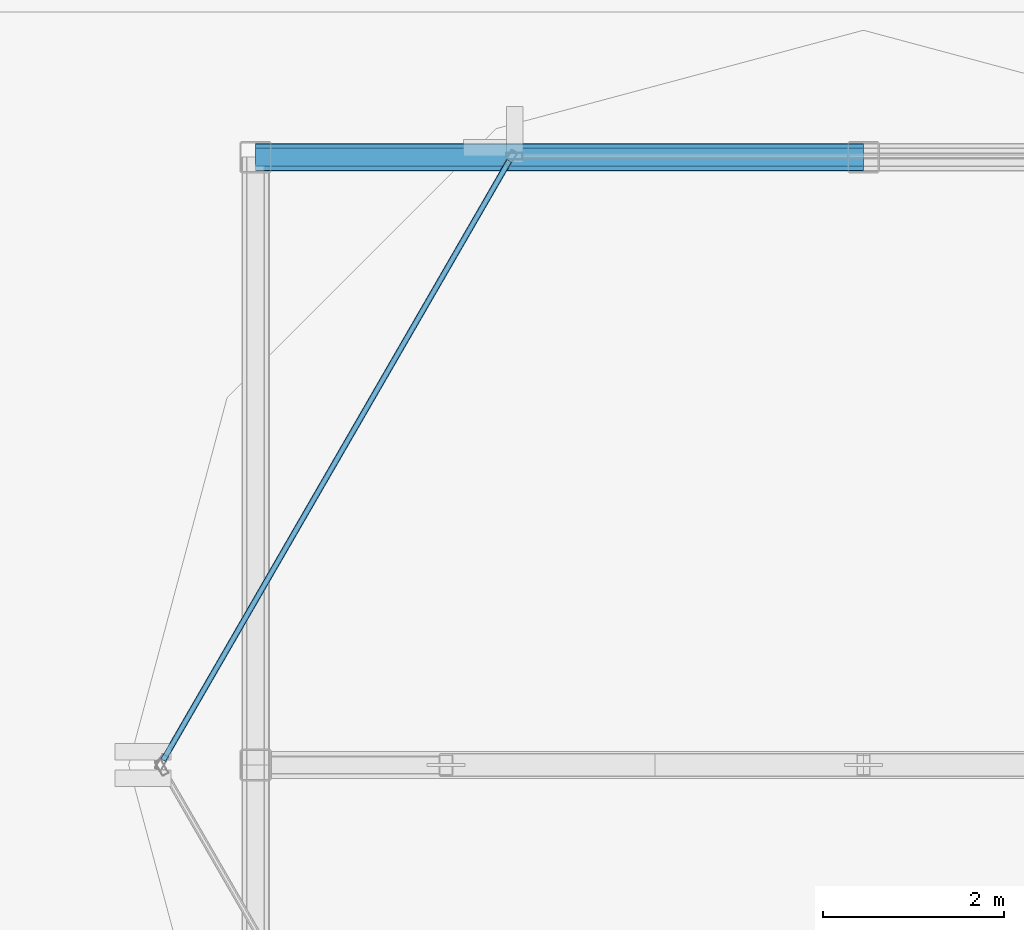
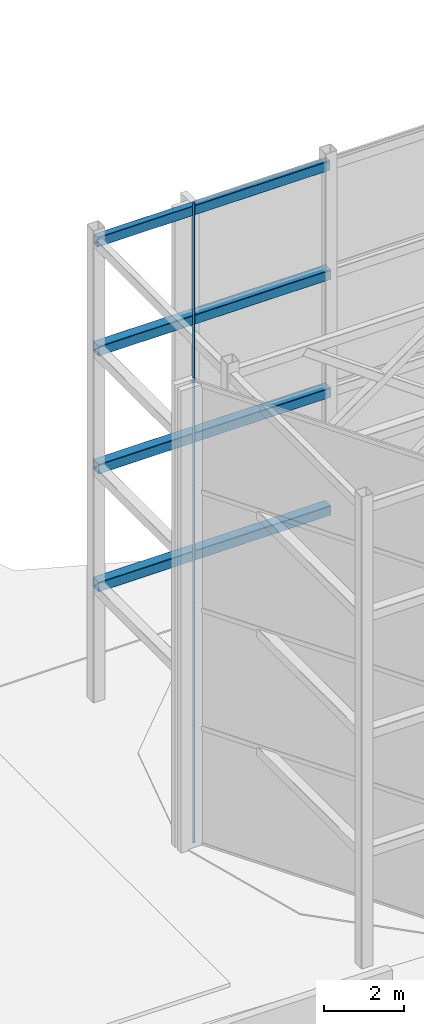
# One storey, part 6 of 24: 5 members, 4 beams, 1 element without a shape of its own.
"""IFC4 building model written with IfcOpenShell, lengths in metres."""

import ifcopenshell
import ifcopenshell.guid

model = None  # the IFC model being written
_history = None  # IfcOwnerHistory: only IFC2X3 demands one
_inside = {}  # id of a spatial element -> (the spatial element, [elements in it])
_under = {}  # id of a project, library or spatial element -> (it, [spatial elements below it])
_declared = {}  # id of a project -> (the project, [libraries it declares])
_typed = {}  # id of a type object -> (the type object, [elements of that type])
_made_of = {}  # id of a material, layer set ... -> (it, [elements and type objects made of it])


def new_model(schema):
    """Start an empty IFC model of exactly this schema.

    Asked for "IFC4X3", IfcOpenShell would pick the latest addendum, in which some entities
    have other attributes; the version numbers below select the first issue.
    IFC2X3 requires an IfcOwnerHistory on every rooted entity: one is made here for all.
    """
    global model, _history
    if schema == "IFC4X3":
        model = ifcopenshell.file(schema_version=(4, 3, 0, 0))
    else:
        model = ifcopenshell.file(schema=schema)
    _inside.clear()
    _under.clear()
    _declared.clear()
    _typed.clear()
    _made_of.clear()
    _history = None
    if model.schema == "IFC2X3":
        org = make("IfcOrganization", Name="unknown")
        user = make(
            "IfcPersonAndOrganization",
            ThePerson=make("IfcPerson", FamilyName="unknown"),
            TheOrganization=org,
        )
        app = make(
            "IfcApplication",
            ApplicationDeveloper=org,
            Version="unknown",
            ApplicationFullName="unknown",
            ApplicationIdentifier="unknown",
        )
        _history = make(
            "IfcOwnerHistory",
            OwningUser=user,
            OwningApplication=app,
            ChangeAction="ADDED",
            CreationDate=0,
        )
    return model


def make(cls, **values):
    """One entity of the class cls with the attributes given. An attribute that is None is left unset."""
    return model.create_entity(
        cls, **{name: value for name, value in values.items() if value is not None}
    )


def rooted(cls, **values):
    """An entity with a GlobalId (a new one), such as an element, a storey or a relation."""
    return make(cls, GlobalId=ifcopenshell.guid.new(), OwnerHistory=_history, **values)


def si_unit(unit_type, name, prefix=None):
    """IfcSIUnit, for example si_unit("LENGTHUNIT", "METRE", prefix="MILLI")."""
    return make("IfcSIUnit", UnitType=unit_type, Prefix=prefix, Name=name)


def assignment(units):
    """IfcUnitAssignment: the units of a project."""
    return None if units is None else make("IfcUnitAssignment", Units=units)


def point(xyz):
    """IfcCartesianPoint."""
    return None if xyz is None else make("IfcCartesianPoint", Coordinates=xyz)


def direction(xyz):
    """IfcDirection."""
    return None if xyz is None else make("IfcDirection", DirectionRatios=xyz)


def frame(location, z_axis=None, x_axis=None):
    """IfcAxis2Placement3D, a coordinate frame: its origin and axes. An axis left out is left unset."""
    return make(
        "IfcAxis2Placement3D",
        Location=point(location),
        Axis=direction(z_axis),
        RefDirection=direction(x_axis),
    )


def frame_2d(location, x_axis=None):
    """IfcAxis2Placement2D, a coordinate frame in the plane: its origin and x axis."""
    return make(
        "IfcAxis2Placement2D", Location=point(location), RefDirection=direction(x_axis)
    )


def origin():
    """The frame at (0, 0, 0) with its axes left unset."""
    return frame((0.0, 0.0, 0.0))


def origin_2d():
    """The frame at (0, 0) in the plane with its x axis left unset."""
    return frame_2d((0.0, 0.0))


def place(relative_to, where):
    """IfcLocalPlacement: puts the frame where relative to a parent placement (None: the world)."""
    return make(
        "IfcLocalPlacement", PlacementRelTo=relative_to, RelativePlacement=where
    )


def context(
    kind, dimensions, precision=None, world=None, true_north=None, identifier=None
):
    """IfcGeometricRepresentationContext, for example the 3D "Model" context."""
    return make(
        "IfcGeometricRepresentationContext",
        ContextIdentifier=identifier,
        ContextType=kind,
        CoordinateSpaceDimension=dimensions,
        Precision=precision,
        WorldCoordinateSystem=world,
        TrueNorth=true_north,
    )


def subcontext(parent, identifier, kind, view, scale=None):
    """IfcGeometricRepresentationSubContext, for example "Body" below "Model"."""
    return make(
        "IfcGeometricRepresentationSubContext",
        ContextIdentifier=identifier,
        ContextType=kind,
        ParentContext=parent,
        TargetScale=scale,
        TargetView=view,
    )


def project(units=None, contexts=None):
    """IfcProject with its units and contexts."""
    return rooted(
        "IfcProject",
        Name="project",
        RepresentationContexts=contexts,
        UnitsInContext=assignment(units),
    )


def spatial(cls, under=None, at=None, **own):
    """A site, building, storey or space (cls), placed at a placement, below another one or the project."""
    s = rooted(cls, ObjectPlacement=at, **own)
    if under is not None:
        _under.setdefault(under.id(), (under, []))[1].append(s)
    return s


def profile(cls, at=None, kind="AREA", **sizes):
    """A parametric profile (cls). Its sizes go by their IFC names, for example OverallWidth=200.0."""
    return make(cls, ProfileType=kind, Position=at, **sizes)


def hollow_rectangle(**sizes):
    """IfcRectangleHollowProfileDef."""
    return profile("IfcRectangleHollowProfileDef", **sizes)


def extrude(swept, where, along, depth):
    """IfcExtrudedAreaSolid: the profile swept, set in the frame where, extruded along a direction by depth."""
    return make(
        "IfcExtrudedAreaSolid",
        SweptArea=swept,
        Position=where,
        ExtrudedDirection=direction(along),
        Depth=depth,
    )


def shape(context_of_items, identifier, shape_type, items):
    """IfcShapeRepresentation: the items that make up one representation, for example the "Body"."""
    return make(
        "IfcShapeRepresentation",
        ContextOfItems=context_of_items,
        RepresentationIdentifier=identifier,
        RepresentationType=shape_type,
        Items=items,
    )


def material(Name=None, Category=None):
    """IfcMaterial."""
    return make("IfcMaterial", Name=Name, Category=Category)


def layer(
    of_material, thickness, ventilated=None, Name=None, Category=None, Priority=None
):
    """IfcMaterialLayer: one layer of a wall or slab, of a material (None: an air gap)."""
    return make(
        "IfcMaterialLayer",
        Material=of_material,
        LayerThickness=thickness,
        IsVentilated=ventilated,
        Name=Name,
        Category=Category,
        Priority=Priority,
    )


def layer_set(layers, Name=None):
    """IfcMaterialLayerSet."""
    return make("IfcMaterialLayerSet", MaterialLayers=layers, LayerSetName=Name)


def material_profile(
    of_material, cross_section, Name=None, Category=None, Priority=None
):
    """IfcMaterialProfile: a cross section and its material."""
    return make(
        "IfcMaterialProfile",
        Name=Name,
        Material=of_material,
        Profile=cross_section,
        Priority=Priority,
        Category=Category,
    )


def profile_set(profiles, Name=None, composite=None):
    """IfcMaterialProfileSet."""
    return make(
        "IfcMaterialProfileSet",
        Name=Name,
        MaterialProfiles=profiles,
        CompositeProfile=composite,
    )


def made_of(thing, what):
    """Note that an element or type object is made of a material, layer set ...; save() writes the relation."""
    if what is not None:
        _made_of.setdefault(what.id(), (what, []))[1].append(thing)
    return thing


def type_object(cls, material=None, **own):
    """A type object (cls), such as IfcWallType, which elements share."""
    return made_of(rooted(cls, **own), material)


def element(
    cls,
    number,
    at=None,
    inside=None,
    cuts=None,
    type_object=None,
    material=None,
    context=None,
    identifier="Body",
    shape_type=None,
    held_by="IfcProductDefinitionShape",
    body=None,
    shapes=None,
    **own,
):
    """One element of the class cls, such as IfcWall. Its Tag is "e" and its number.

    at: its placement. inside: the storey or other place that contains it. cuts: it is an
    opening in that element (IfcRelVoidsElement). A single representation is given by context,
    identifier, shape_type and body (its items); several are given by shapes. held_by: the class
    of the entity that holds the representations. save() writes the other relations.
    """
    e = rooted(cls, Tag="e%d" % number, ObjectPlacement=at, **own)
    if body is not None:
        shapes = [shape(context, identifier, shape_type, body)]
    if shapes is not None:
        e.Representation = make(held_by, Representations=shapes)
    if inside is not None:
        _inside.setdefault(inside.id(), (inside, []))[1].append(e)
    if cuts is not None:
        rooted(
            "IfcRelVoidsElement", RelatingBuildingElement=cuts, RelatedOpeningElement=e
        )
    if type_object is not None:
        _typed.setdefault(type_object.id(), (type_object, []))[1].append(e)
    return made_of(e, material)


def aggregate(whole, parts):
    """IfcRelAggregates: a whole, such as a stair, and the parts it consists of."""
    return rooted("IfcRelAggregates", RelatingObject=whole, RelatedObjects=parts)


def save(model, path):
    """Write the relations noted so far, then the file.

    IfcRelAggregates (storeys below a building ...), IfcRelContainedInSpatialStructure (elements
    in a storey), IfcRelDefinesByType, IfcRelAssociatesMaterial and IfcRelDeclares: one each for
    every whole, place, type object, material and project.
    """
    for whole, parts in _under.values():
        aggregate(whole, parts)
    for where, things in _inside.values():
        rooted(
            "IfcRelContainedInSpatialStructure",
            RelatedElements=things,
            RelatingStructure=where,
        )
    for kind, things in _typed.values():
        rooted("IfcRelDefinesByType", RelatedObjects=things, RelatingType=kind)
    for what, things in _made_of.values():
        rooted("IfcRelAssociatesMaterial", RelatedObjects=things, RelatingMaterial=what)
    for by, libraries in _declared.values():
        rooted("IfcRelDeclares", RelatingContext=by, RelatedDefinitions=libraries)
    model.write(path)


model = new_model("IFC4")

# Units and contexts
model_context = context("Model", 3, precision=1e-05, world=origin(), true_north=direction((0.0, 1.0)))
body_context = subcontext(model_context, "Body", "Model", "MODEL_VIEW")
ifc_project = project(units=[si_unit("LENGTHUNIT", "METRE"), si_unit("AREAUNIT", "SQUARE_METRE"), si_unit("VOLUMEUNIT", "CUBIC_METRE"), si_unit("PLANEANGLEUNIT", "RADIAN"), si_unit("MASSUNIT", "GRAM", prefix="KILO")], contexts=[model_context])

# Site, building, storey
site_placement = place(None, origin())
site = spatial("IfcSite", under=ifc_project, at=site_placement, CompositionType="ELEMENT")
building_placement = place(site_placement, origin())
building = spatial("IfcBuilding", under=site, at=building_placement, Name="Solvaryn Broadcast Tower", CompositionType="ELEMENT")
storey_placement = place(building_placement, frame((0.0, 0.0, 307.800048828125)))
storey = spatial("IfcBuildingStorey", under=building, at=storey_placement, Name="Roof Main", CompositionType="ELEMENT", Elevation=307.800048828125)

# Beams
ifc_material_1 = material(Name="Steel ASTM A500 Grade C", Category="steel")
ifc_material_profile_1 = material_profile(ifc_material_1, hollow_rectangle(XDim=0.199951171875, YDim=0.300048828125, WallThickness=0.011962890625, InnerFilletRadius=0.011962890625, OuterFilletRadius=0.02392578125, at=origin_2d()))
ifc_profile_set_1 = profile_set([ifc_material_profile_1], Name="Steel ASTM A500 Grade C")
beam_type_1 = type_object("IfcBeamType", Name="BM-CROWN-CAP", PredefinedType="BEAM", material=ifc_profile_set_1)
beam_placement = place(storey_placement, frame((36.10009765625, 24.60009765625, 13.949951171875), z_axis=(-1.0, 0.0, 0.0), x_axis=(0.0, -1.0, 0.0)))
element("IfcBeam", 1, at=beam_placement, inside=storey, type_object=beam_type_1, Name="Roof Main CROWN FRAME Ring Beam ET4-6", PredefinedType="BEAM", context=body_context, shape_type="SweptSolid", body=[
    extrude(hollow_rectangle(XDim=0.199951171875, YDim=0.300048828125, WallThickness=0.011962890625, InnerFilletRadius=0.011962890625, OuterFilletRadius=0.02392578125, at=origin_2d()), origin(), (0.0, 0.0, 1.0), 6.7001953125),
])
ifc_material_2 = material(Name="Steel ASTM A500 Grade C", Category="steel")
ifc_material_profile_2 = material_profile(ifc_material_2, hollow_rectangle(XDim=0.300048828125, YDim=0.300048828125, WallThickness=0.01416015625, InnerFilletRadius=0.01416015625, OuterFilletRadius=0.0283203125, at=origin_2d()))
ifc_profile_set_2 = profile_set([ifc_material_profile_2], Name="Steel ASTM A500 Grade C")
beam_type_2 = type_object("IfcBeamType", Name="BM-CROWN-RING", PredefinedType="BEAM", material=ifc_profile_set_2)
for number, where, z_axis, x_axis, name in (
    (2, (36.10009765625, 24.60009765625, 3.449951171875), (-1.0, 0.0, 0.0), (0.0, -1.0, 0.0), "Roof Main CROWN FRAME Ring Beam ET1-6"),
    (3, (36.10009765625, 24.60009765625, 7.050048828125), (-1.0, 0.0, 0.0), (0.0, -1.0, 0.0), "Roof Main CROWN FRAME Ring Beam ET2-6"),
    (4, (36.10009765625, 24.60009765625, 10.64990234375), (-1.0, 0.0, 0.0), (0.0, -1.0, 0.0), "Roof Main CROWN FRAME Ring Beam ET3-6"),
):
    element("IfcBeam", number, at=place(storey_placement, frame(where, z_axis=z_axis, x_axis=x_axis)), inside=storey, type_object=beam_type_2, Name=name, PredefinedType="BEAM", context=body_context, shape_type="SweptSolid", body=[
        extrude(hollow_rectangle(XDim=0.300048828125, YDim=0.300048828125, WallThickness=0.01416015625, InnerFilletRadius=0.01416015625, OuterFilletRadius=0.0283203125, at=origin_2d()), origin(), (0.0, 0.0, 1.0), 6.7001953125),
    ])

# Curtain wall, members
ifc_material_3 = material(Name="Aluminium and Terracotta Unitised Curtain Wall", Category="masonry")
ifc_layer = layer(ifc_material_3, 0.2099609375)
ifc_layer_set = layer_set([ifc_layer], Name="CW-SYS6-CROWN")
curtain_wall_type = type_object("IfcCurtainWallType", Name="CW-SYS6-CROWN", PredefinedType="NOTDEFINED", material=ifc_layer_set)
curtain_wall_placement = place(storey_placement, origin())
curtain_wall = element("IfcCurtainWall", 5, at=curtain_wall_placement, inside=storey, type_object=curtain_wall_type, Name="Roof Main Split-Top Crown Curtain Wall E3", PredefinedType="NOTDEFINED")
ifc_material_4 = material(Name="Anodised Aluminium 6063-T6", Category="aluminium")
ifc_material_profile_3 = material_profile(ifc_material_4, hollow_rectangle(XDim=0.06494140625, YDim=0.14990234375, WallThickness=0.00390625, InnerFilletRadius=0.00390625, OuterFilletRadius=0.008056640625, at=origin_2d()))
ifc_profile_set_3 = profile_set([ifc_material_profile_3], Name="Anodised Aluminium 6063-T6")
member_type = type_object("IfcMemberType", Name="CW-TRN-150", PredefinedType="USERDEFINED", material=ifc_profile_set_3)
member_1_placement = place(storey_placement, frame((32.195068359375, 24.56005859375, 0.030029296875), z_axis=(-0.49999664678, -0.866027339758, 0.0), x_axis=(0.866027339758, -0.49999664678, 0.0)))
member_1 = element("IfcMember", 6, at=member_1_placement, type_object=member_type, Name="CWS6 transom 1.1", ObjectType="TRANSOM", PredefinedType="USERDEFINED", context=body_context, shape_type="SweptSolid", body=[
    extrude(hollow_rectangle(XDim=0.06494140625, YDim=0.14990234375, WallThickness=0.00390625, InnerFilletRadius=0.00390625, OuterFilletRadius=0.008056640625, at=origin_2d()), origin(), (0.0, 0.0, 1.0), 7.63037109375),
])
member_2_placement = place(storey_placement, frame((32.195068359375, 24.56005859375, 3.599853515625), z_axis=(-0.49999664678, -0.866027339758, 0.0), x_axis=(0.866027339758, -0.49999664678, 0.0)))
member_2 = element("IfcMember", 7, at=member_2_placement, type_object=member_type, Name="CWS6 transom 1.2", ObjectType="TRANSOM", PredefinedType="USERDEFINED", context=body_context, shape_type="SweptSolid", body=[
    extrude(hollow_rectangle(XDim=0.06494140625, YDim=0.14990234375, WallThickness=0.00390625, InnerFilletRadius=0.00390625, OuterFilletRadius=0.008056640625, at=origin_2d()), origin(), (0.0, 0.0, 1.0), 7.63037109375),
])
member_3_placement = place(storey_placement, frame((32.195068359375, 24.56005859375, 7.199951171875), z_axis=(-0.49999664678, -0.866027339758, 0.0), x_axis=(0.866027339758, -0.49999664678, 0.0)))
member_3 = element("IfcMember", 8, at=member_3_placement, type_object=member_type, Name="CWS6 transom 1.3", ObjectType="TRANSOM", PredefinedType="USERDEFINED", context=body_context, shape_type="SweptSolid", body=[
    extrude(hollow_rectangle(XDim=0.06494140625, YDim=0.14990234375, WallThickness=0.00390625, InnerFilletRadius=0.00390625, OuterFilletRadius=0.008056640625, at=origin_2d()), origin(), (0.0, 0.0, 1.0), 7.63037109375),
])
member_4_placement = place(storey_placement, frame((32.195068359375, 24.56005859375, 10.800048828125), z_axis=(-0.49999664678, -0.866027339758, 0.0), x_axis=(0.866027339758, -0.49999664678, 0.0)))
member_4 = element("IfcMember", 9, at=member_4_placement, type_object=member_type, Name="CWS6 transom 1.4", ObjectType="TRANSOM", PredefinedType="USERDEFINED", context=body_context, shape_type="SweptSolid", body=[
    extrude(hollow_rectangle(XDim=0.06494140625, YDim=0.14990234375, WallThickness=0.00390625, InnerFilletRadius=0.00390625, OuterFilletRadius=0.008056640625, at=origin_2d()), origin(), (0.0, 0.0, 1.0), 7.63037109375),
])
member_5_placement = place(storey_placement, frame((32.195068359375, 24.56005859375, 14.070068359375), z_axis=(-0.49999664678, -0.866027339758, 0.0), x_axis=(0.866027339758, -0.49999664678, 0.0)))
member_5 = element("IfcMember", 10, at=member_5_placement, type_object=member_type, Name="CWS6 transom 1.5", ObjectType="TRANSOM", PredefinedType="USERDEFINED", context=body_context, shape_type="SweptSolid", body=[
    extrude(hollow_rectangle(XDim=0.06494140625, YDim=0.14990234375, WallThickness=0.00390625, InnerFilletRadius=0.00390625, OuterFilletRadius=0.008056640625, at=origin_2d()), origin(), (0.0, 0.0, 1.0), 7.63037109375),
])
aggregate(curtain_wall, [member_1, member_2, member_3, member_4, member_5])

save(model, "model.ifc")
